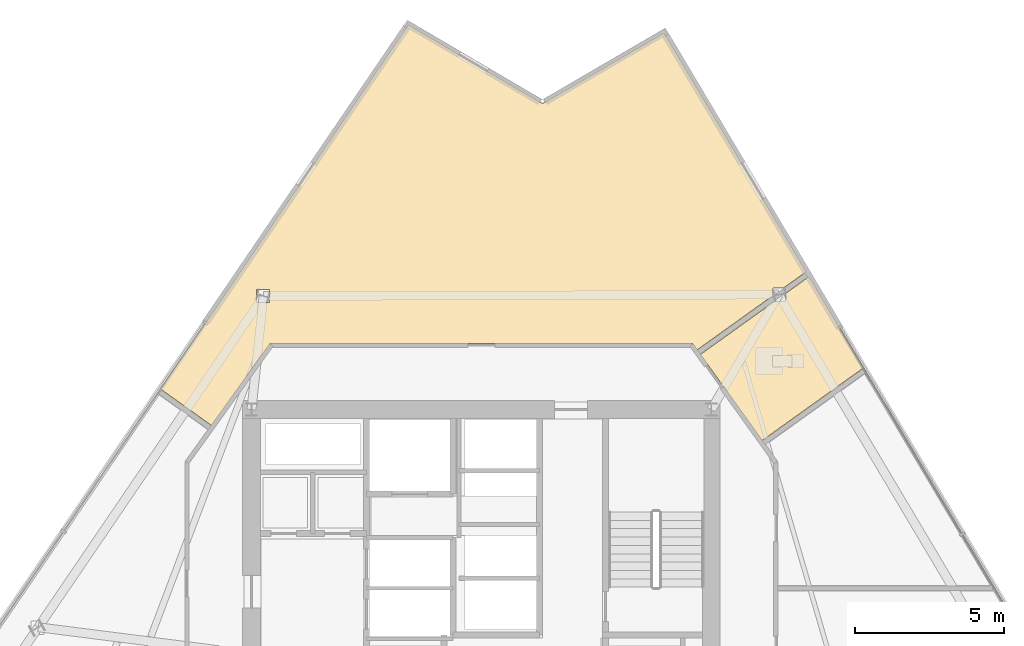
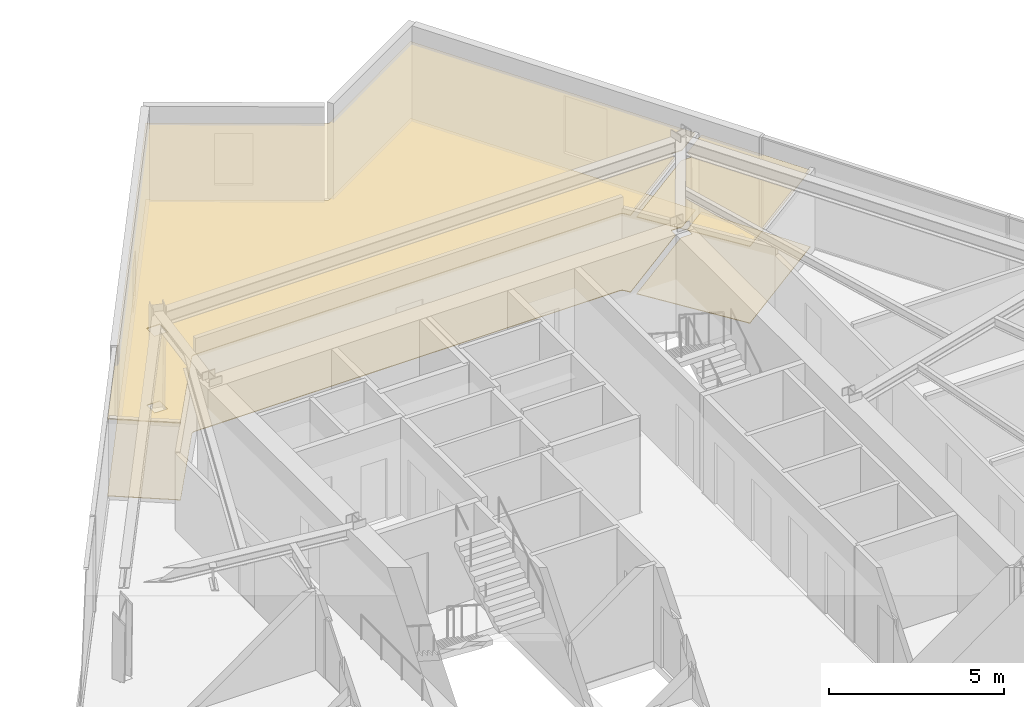
# One storey, part 14 of 15: 4 coverings.
"""IFC4 building model written with IfcOpenShell, lengths in metres."""

from ifc_helpers import new_model, si_unit, direction, frame, origin, place, context, subcontext, project, spatial, polyline, outline, extrude, material, layer, layer_set, type_object, element, save


model = new_model("IFC4")

# Units and contexts
model_context = context("Model", 3, precision=1e-05, world=origin(), true_north=direction((0.0, 1.0)))
body_context = subcontext(model_context, "Body", "Model", "MODEL_VIEW")
ifc_project = project(units=[si_unit("LENGTHUNIT", "METRE"), si_unit("AREAUNIT", "SQUARE_METRE"), si_unit("VOLUMEUNIT", "CUBIC_METRE"), si_unit("PLANEANGLEUNIT", "RADIAN"), si_unit("MASSUNIT", "GRAM", prefix="KILO")], contexts=[model_context])

# Site, building, storey
site_placement = place(None, origin())
site = spatial("IfcSite", under=ifc_project, at=site_placement, CompositionType="ELEMENT")
building_placement = place(site_placement, origin())
building = spatial("IfcBuilding", under=site, at=building_placement, Name="Savorim Split Tower", CompositionType="ELEMENT")
storey_placement = place(building_placement, frame((0.0, 0.0, 104.10009765625)))
storey = spatial("IfcBuildingStorey", under=building, at=storey_placement, Name="L27", CompositionType="ELEMENT", Elevation=104.10009765625)

# Coverings
ifc_material_1 = material(Name="Mineral Fibre Acoustic Ceiling")
ifc_layer_1 = layer(ifc_material_1, 0.02490234375)
ifc_layer_set_1 = layer_set([ifc_layer_1], Name="COV-CEIL-25")
covering_type_1 = type_object("IfcCoveringType", Name="COV-CEIL-25", PredefinedType="CEILING", material=ifc_layer_set_1)
covering_1_placement = place(storey_placement, frame((0.0, 0.0, 2.669921875)))
element("IfcCovering", 1, at=covering_1_placement, inside=storey, type_object=covering_type_1, Name="L27 Shared Bathroom Acoustic Ceiling", PredefinedType="CEILING", context=body_context, shape_type="SweptSolid", body=[
    extrude(outline(polyline([(9.830078125, 13.8310546875), (7.33935546875, 12.046630859375), (7.33935546875, 12.046630859375), (9.404296875, 9.16455078125), (12.796142578125, 11.5947265625), (10.9775390625, 14.6533203125), (10.19189453125, 14.09033203125), (10.19189453125, 13.8310546875), (9.830078125, 13.8310546875)])), origin(), (0.0, 0.0, 1.0), 0.02490234375),
])
covering_2_placement = place(storey_placement, frame((0.0, 0.0, 2.669921875)))
element("IfcCovering", 2, at=covering_2_placement, inside=storey, type_object=covering_type_1, Name="L27 Quiet Study Room Acoustic Ceiling", PredefinedType="CEILING", context=body_context, shape_type="SweptSolid", body=[
    extrude(outline(polyline([(2.0068359375, 20.472412109375), (1.99609375, 20.476806640625), (1.986083984375, 20.482177734375), (-2.447265625, 23.087646484375), (-10.7451171875, 10.89013671875), (-9.042236328125, 9.670166015625), (-7.11376953125, 12.361572265625), (-7.105712890625, 12.3720703125), (-7.096435546875, 12.381591796875), (-7.086181640625, 12.39013671875), (-7.075439453125, 12.39794921875), (-7.06396484375, 12.404541015625), (-7.052001953125, 12.409912109375), (-7.039306640625, 12.414306640625), (-7.0263671875, 12.41748046875), (-7.01318359375, 12.41943359375), (-7.0, 12.419921875), (7.0, 12.419921875), (7.01318359375, 12.41943359375), (7.0263671875, 12.41748046875), (7.039306640625, 12.414306640625), (7.052001953125, 12.409912109375), (7.06396484375, 12.404541015625), (7.075439453125, 12.39794921875), (7.086181640625, 12.39013671875), (7.096435546875, 12.381591796875), (7.105712890625, 12.3720703125), (7.11376953125, 12.361572265625), (7.228759765625, 12.201171875), (9.762939453125, 14.016845703125), (9.762939453125, 14.276123046875), (10.125, 14.276123046875), (10.832763671875, 14.783203125), (10.8798828125, 14.817138671875), (6.120849609375, 22.821044921875), (2.107177734375, 20.48193359375), (2.096923828125, 20.4765625), (2.086181640625, 20.472412109375), (2.0751953125, 20.468994140625), (2.06396484375, 20.466796875), (2.052490234375, 20.4658203125), (2.040771484375, 20.4658203125), (2.029296875, 20.466796875), (2.01806640625, 20.468994140625), (2.0068359375, 20.472412109375)]), holes=[polyline([(-7.096923828125, 14.227294921875), (-7.52587890625, 14.227294921875), (-7.52587890625, 13.7822265625), (-7.096923828125, 13.7822265625), (-7.096923828125, 14.227294921875)])]), origin(), (0.0, 0.0, 1.0), 0.02490234375),
])
ifc_material_2 = material(Name="Porcelain Stoneware Flooring", Category="masonry")
ifc_layer_2 = layer(ifc_material_2, 0.02001953125)
ifc_layer_set_2 = layer_set([ifc_layer_2], Name="COV-FLOR-20")
covering_type_2 = type_object("IfcCoveringType", Name="COV-FLOR-20", PredefinedType="FLOORING", material=ifc_layer_set_2)
covering_3_placement = place(storey_placement, origin())
element("IfcCovering", 3, at=covering_3_placement, inside=storey, type_object=covering_type_2, Name="L27 Shared Bathroom Porcelain Flooring", PredefinedType="FLOORING", context=body_context, shape_type="SweptSolid", body=[
    extrude(outline(polyline([(9.830078125, 13.8310546875), (7.33935546875, 12.046630859375), (7.33935546875, 12.046630859375), (9.404296875, 9.16455078125), (12.796142578125, 11.5947265625), (10.9775390625, 14.6533203125), (10.19189453125, 14.09033203125), (10.19189453125, 13.8310546875), (9.830078125, 13.8310546875)])), origin(), (0.0, 0.0, 1.0), 0.02001953125),
])
covering_4_placement = place(storey_placement, origin())
element("IfcCovering", 4, at=covering_4_placement, inside=storey, type_object=covering_type_2, Name="L27 Quiet Study Room Porcelain Flooring", PredefinedType="FLOORING", context=body_context, shape_type="SweptSolid", body=[
    extrude(outline(polyline([(2.0068359375, 20.472412109375), (1.99609375, 20.476806640625), (1.986083984375, 20.482177734375), (-2.447265625, 23.087646484375), (-10.7451171875, 10.89013671875), (-9.042236328125, 9.670166015625), (-7.11376953125, 12.361572265625), (-7.105712890625, 12.3720703125), (-7.096435546875, 12.381591796875), (-7.086181640625, 12.39013671875), (-7.075439453125, 12.39794921875), (-7.06396484375, 12.404541015625), (-7.052001953125, 12.409912109375), (-7.039306640625, 12.414306640625), (-7.0263671875, 12.41748046875), (-7.01318359375, 12.41943359375), (-7.0, 12.419921875), (7.0, 12.419921875), (7.01318359375, 12.41943359375), (7.0263671875, 12.41748046875), (7.039306640625, 12.414306640625), (7.052001953125, 12.409912109375), (7.06396484375, 12.404541015625), (7.075439453125, 12.39794921875), (7.086181640625, 12.39013671875), (7.096435546875, 12.381591796875), (7.105712890625, 12.3720703125), (7.11376953125, 12.361572265625), (7.228759765625, 12.201171875), (9.762939453125, 14.016845703125), (9.762939453125, 14.276123046875), (10.125, 14.276123046875), (10.832763671875, 14.783203125), (10.8798828125, 14.817138671875), (6.120849609375, 22.821044921875), (2.107177734375, 20.48193359375), (2.096923828125, 20.4765625), (2.086181640625, 20.472412109375), (2.0751953125, 20.468994140625), (2.06396484375, 20.466796875), (2.052490234375, 20.4658203125), (2.040771484375, 20.4658203125), (2.029296875, 20.466796875), (2.01806640625, 20.468994140625), (2.0068359375, 20.472412109375)]), holes=[polyline([(-7.096923828125, 14.227294921875), (-7.52587890625, 14.227294921875), (-7.52587890625, 13.7822265625), (-7.096923828125, 13.7822265625), (-7.096923828125, 14.227294921875)])]), origin(), (0.0, 0.0, 1.0), 0.02001953125),
])

save(model, "model.ifc")
